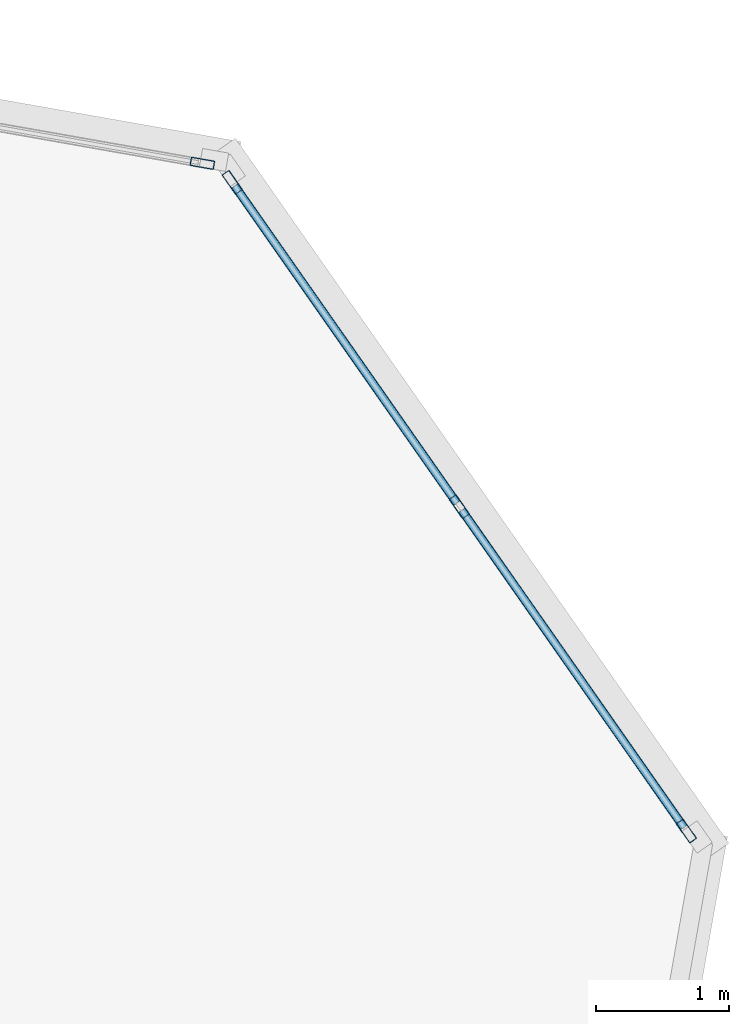
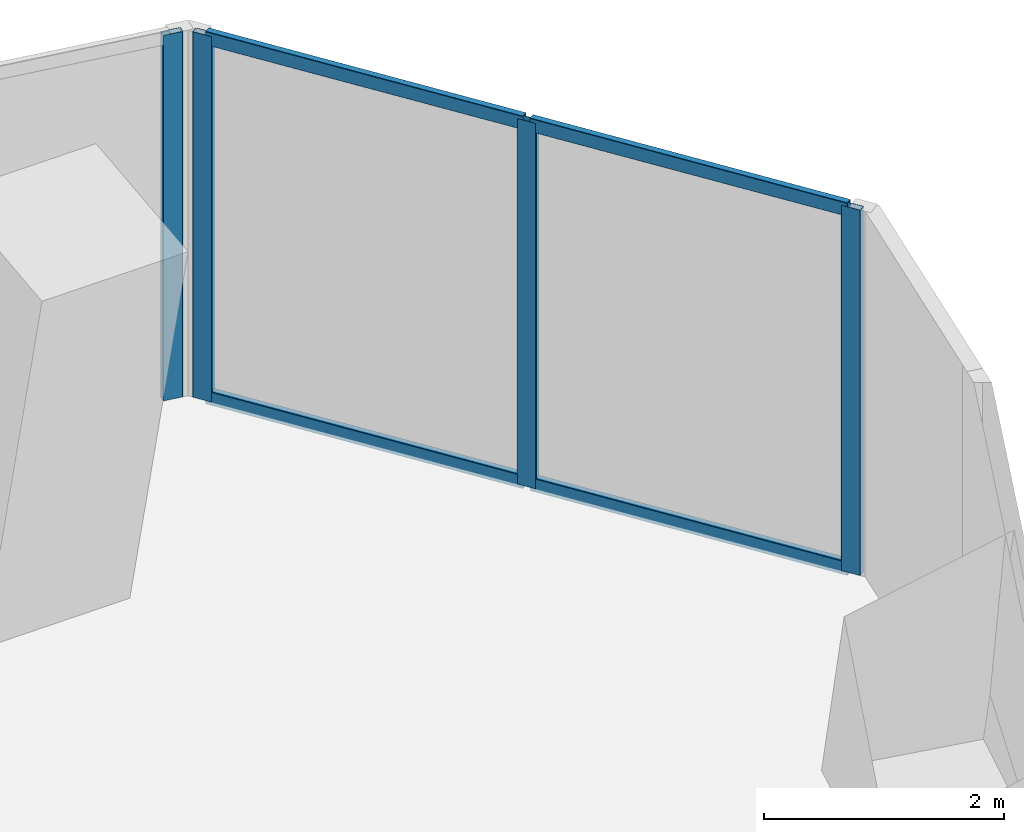
# One storey, part 13 of 24: 8 members, 2 elements without a shape of their own.
"""IFC4 building model written with IfcOpenShell, lengths in metres."""

from ifc_helpers import new_model, si_unit, direction, frame, origin, origin_2d, place, context, subcontext, project, spatial, hollow_rectangle, extrude, source, transform, mapped, material, material_profile, profile_set, type_object, element, aggregate, save


model = new_model("IFC4")

# Units and contexts
model_context = context("Model", 3, precision=1e-05, world=origin(), true_north=direction((0.0, 1.0)))
body_context = subcontext(model_context, "Body", "Model", "MODEL_VIEW")
ifc_project = project(units=[si_unit("LENGTHUNIT", "METRE"), si_unit("AREAUNIT", "SQUARE_METRE"), si_unit("VOLUMEUNIT", "CUBIC_METRE"), si_unit("PLANEANGLEUNIT", "RADIAN"), si_unit("MASSUNIT", "GRAM", prefix="KILO")], contexts=[model_context])

# Site, building, storey
site_placement = place(None, origin())
site = spatial("IfcSite", under=ifc_project, at=site_placement, CompositionType="ELEMENT")
building_placement = place(site_placement, origin())
building = spatial("IfcBuilding", under=site, at=building_placement, Name="Torre Montelarca", CompositionType="ELEMENT")
storey_placement = place(building_placement, frame((0.0, 0.0, 79.0)))
storey = spatial("IfcBuildingStorey", under=building, at=storey_placement, Name="L17", CompositionType="ELEMENT", Elevation=79.0)

# Curtain wall, members
ifc_material_1 = material(Name="Insulated low-E laminated glass", Category="glass")
curtain_wall_type = type_object("IfcCurtainWallType", Name="CW-SYS-Z1", PredefinedType="USERDEFINED", material=ifc_material_1)
curtain_wall_1_placement = place(storey_placement, origin())
curtain_wall_1 = element("IfcCurtainWall", 1, at=curtain_wall_1_placement, inside=storey, type_object=curtain_wall_type, Name="L17 Curtain Wall Run CW-T3-L17-E07-B1", ObjectType="UNITISED GLAZING", PredefinedType="USERDEFINED")
ifc_material_2 = material(Name="Anodised aluminium AA 6063-T6", Category="aluminium")
ifc_material_profile_1 = material_profile(ifc_material_2, hollow_rectangle(XDim=0.06494140625, YDim=0.139892578125, WallThickness=0.00390625, InnerFilletRadius=0.00390625, OuterFilletRadius=0.008056640625, at=origin_2d()), Name="ALU65X140X4", Category="aluminium")
ifc_profile_set_1 = profile_set([ifc_material_profile_1], Name="Anodised aluminium AA 6063-T6")
member_type_1 = type_object("IfcMemberType", Name="CWT-ALU140", PredefinedType="USERDEFINED", material=ifc_profile_set_1)
shared_shape_1 = source(origin(), body_context, "Body", "SweptSolid", [
    extrude(hollow_rectangle(XDim=0.06494140625, YDim=0.139892578125, WallThickness=0.00390625, InnerFilletRadius=0.00390625, OuterFilletRadius=0.008056640625, at=origin_2d()), origin(), (0.0, 0.0, 1.0), 2.918701171875),
])
member_1_placement = place(storey_placement, frame((62.09423828125, 36.794921875, 0.032470703125), z_axis=(-0.573569003746, 0.819157248605, 0.0), x_axis=(-0.819157248605, -0.573569003746, 0.0)))
member_1 = element("IfcMember", 2, at=member_1_placement, type_object=member_type_1, Name="CW transom 1.1", ObjectType="TRANSOM", PredefinedType="USERDEFINED", context=body_context, shape_type="MappedRepresentation", body=[
    mapped(shared_shape_1, transform((0.0, 0.0, 0.0), scale=1.0)),
])
member_2_placement = place(storey_placement, frame((62.09423828125, 36.794921875, 3.6875), z_axis=(-0.573569003746, 0.819157248605, 0.0), x_axis=(-0.819157248605, -0.573569003746, 0.0)))
member_2 = element("IfcMember", 3, at=member_2_placement, type_object=member_type_1, Name="CW transom 1.2", ObjectType="TRANSOM", PredefinedType="USERDEFINED", context=body_context, shape_type="MappedRepresentation", body=[
    mapped(shared_shape_1, transform((0.0, 0.0, 0.0), scale=1.0)),
])
shared_shape_2 = source(origin(), body_context, "Body", "SweptSolid", [
    extrude(hollow_rectangle(XDim=0.06494140625, YDim=0.139892578125, WallThickness=0.00390625, InnerFilletRadius=0.00390625, OuterFilletRadius=0.008056640625, at=origin_2d()), origin(), (0.0, 0.0, 1.0), 2.91845703125),
])
member_3_placement = place(storey_placement, frame((60.3828125, 39.239013671875, 0.032470703125), z_axis=(-0.573512870865, 0.819196549646, 0.0), x_axis=(-0.819196549646, -0.573512870865, 0.0)))
member_3 = element("IfcMember", 4, at=member_3_placement, type_object=member_type_1, Name="CW transom 2.1", ObjectType="TRANSOM", PredefinedType="USERDEFINED", context=body_context, shape_type="MappedRepresentation", body=[
    mapped(shared_shape_2, transform((0.0, 0.0, 0.0), scale=1.0)),
])
member_4_placement = place(storey_placement, frame((60.3828125, 39.239013671875, 3.6875), z_axis=(-0.573512870865, 0.819196549646, 0.0), x_axis=(-0.819196549646, -0.573512870865, 0.0)))
member_4 = element("IfcMember", 5, at=member_4_placement, type_object=member_type_1, Name="CW transom 2.2", ObjectType="TRANSOM", PredefinedType="USERDEFINED", context=body_context, shape_type="MappedRepresentation", body=[
    mapped(shared_shape_2, transform((0.0, 0.0, 0.0), scale=1.0)),
])
ifc_material_profile_2 = material_profile(ifc_material_2, hollow_rectangle(XDim=0.06494140625, YDim=0.179931640625, WallThickness=0.00390625, InnerFilletRadius=0.00390625, OuterFilletRadius=0.008056640625, at=origin_2d()), Name="ALU65X180X4", Category="aluminium")
ifc_profile_set_2 = profile_set([ifc_material_profile_2], Name="Anodised aluminium AA 6063-T6")
member_type_2 = type_object("IfcMemberType", Name="CWM-ALU180", PredefinedType="MULLION", material=ifc_profile_set_2)
shared_shape_3 = source(origin(), body_context, "Body", "SweptSolid", [
    extrude(hollow_rectangle(XDim=0.06494140625, YDim=0.179931640625, WallThickness=0.00390625, InnerFilletRadius=0.00390625, OuterFilletRadius=0.008056640625, at=origin_2d()), origin(), (0.0, 0.0, 1.0), 3.719970703125),
])
member_5_placement = place(storey_placement, frame((62.11279296875, 36.768310546875, 0.0), z_axis=(0.0, 0.0, 1.0), x_axis=(-0.819173505874, -0.573545784811, 0.0)))
member_5 = element("IfcMember", 6, at=member_5_placement, type_object=member_type_2, Name="CW mullion 1", PredefinedType="MULLION", context=body_context, shape_type="MappedRepresentation", body=[
    mapped(shared_shape_3, transform((0.0, 0.0, 0.0), scale=1.0)),
])
member_6_placement = place(storey_placement, frame((60.401611328125, 39.21240234375, 0.0), z_axis=(0.0, 0.0, 1.0), x_axis=(-0.819173505874, -0.573545784811, 0.0)))
member_6 = element("IfcMember", 7, at=member_6_placement, type_object=member_type_2, Name="CW mullion 2", PredefinedType="MULLION", context=body_context, shape_type="MappedRepresentation", body=[
    mapped(shared_shape_3, transform((0.0, 0.0, 0.0), scale=1.0)),
])
member_7_placement = place(storey_placement, frame((58.690185546875, 41.656494140625, 0.0), z_axis=(0.0, 0.0, 1.0), x_axis=(-0.819173505874, -0.573545784811, 0.0)))
member_7 = element("IfcMember", 8, at=member_7_placement, type_object=member_type_2, Name="CW mullion 3", PredefinedType="MULLION", context=body_context, shape_type="MappedRepresentation", body=[
    mapped(shared_shape_3, transform((0.0, 0.0, 0.0), scale=1.0)),
])
aggregate(curtain_wall_1, [member_5, member_6, member_7, member_1, member_2, member_3, member_4])

# Curtain wall, member
curtain_wall_2_placement = place(storey_placement, origin())
curtain_wall_2 = element("IfcCurtainWall", 9, at=curtain_wall_2_placement, inside=storey, type_object=curtain_wall_type, Name="L17 Curtain Wall Run CW-T3-L17-E08-B1", ObjectType="UNITISED GLAZING", PredefinedType="USERDEFINED")
member_8_placement = place(storey_placement, frame((58.465087890625, 41.800048828125, 0.0), z_axis=(0.0, 0.0, 1.0), x_axis=(-0.173647689249, -0.984807839133, 0.0)))
member_8 = element("IfcMember", 10, at=member_8_placement, type_object=member_type_2, Name="CW mullion 1", PredefinedType="MULLION", context=body_context, shape_type="MappedRepresentation", body=[
    mapped(shared_shape_3, transform((0.0, 0.0, 0.0), scale=1.0)),
])
aggregate(curtain_wall_2, [member_8])

save(model, "model.ifc")
